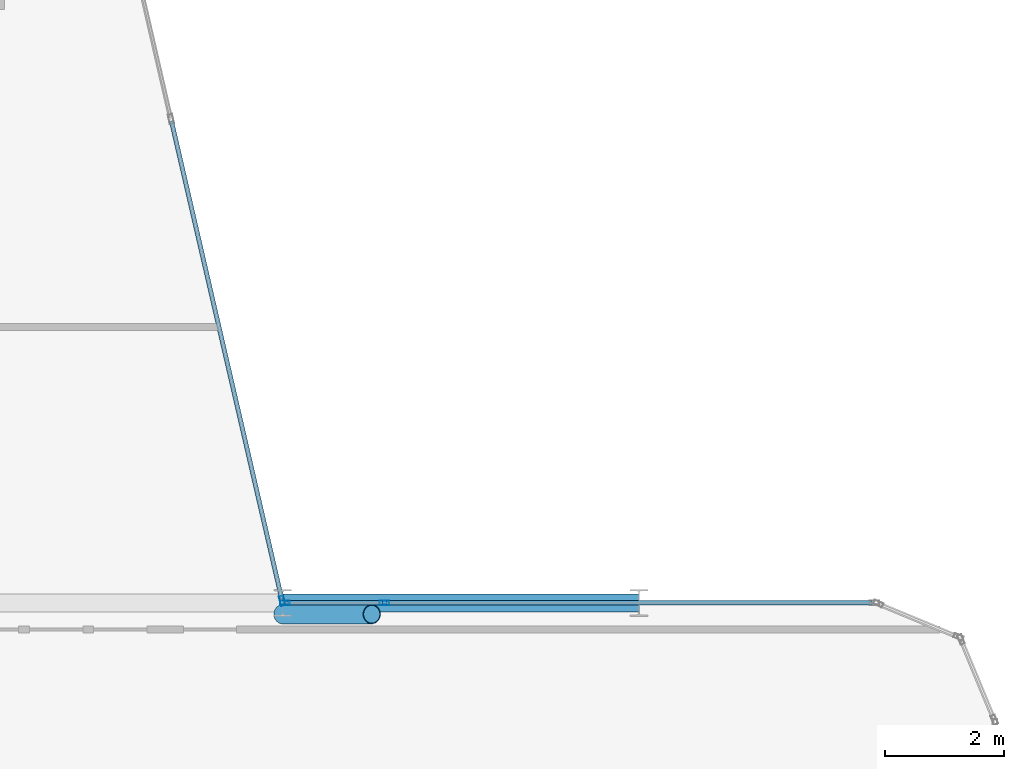
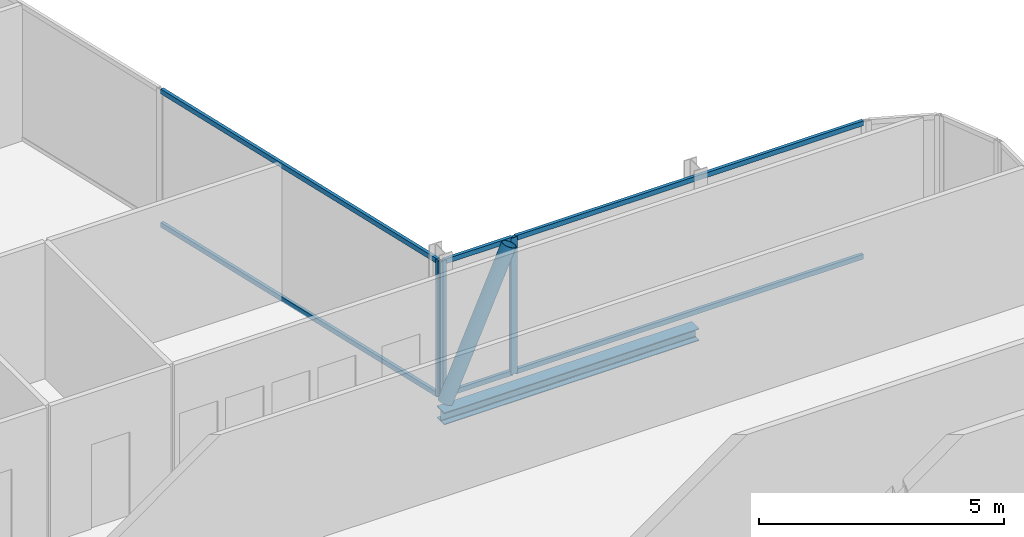
# One storey, part 14 of 29: 10 members, 1 beam, 3 elements without a shape of their own.
"""IFC4 building model written with IfcOpenShell, lengths in metres."""

from ifc_helpers import new_model, si_unit, direction, frame, origin, origin_2d, place, context, subcontext, project, spatial, hollow_rectangle, hollow_circle, i_section, extrude, material, layer, layer_set, material_profile, profile_set, type_object, element, aggregate, save


model = new_model("IFC4")

# Units and contexts
model_context = context("Model", 3, precision=1e-05, world=origin(), true_north=direction((0.0, 1.0)))
body_context = subcontext(model_context, "Body", "Model", "MODEL_VIEW")
ifc_project = project(units=[si_unit("LENGTHUNIT", "METRE"), si_unit("AREAUNIT", "SQUARE_METRE"), si_unit("VOLUMEUNIT", "CUBIC_METRE"), si_unit("PLANEANGLEUNIT", "RADIAN"), si_unit("MASSUNIT", "GRAM", prefix="KILO")], contexts=[model_context])

# Site, building, storey
site_placement = place(None, origin())
site = spatial("IfcSite", under=ifc_project, at=site_placement, CompositionType="ELEMENT")
building_placement = place(site_placement, origin())
building = spatial("IfcBuilding", under=site, at=building_placement, Name="Keshet Zoharim Tower", CompositionType="ELEMENT")
storey_placement = place(building_placement, frame((0.0, 0.0, 192.10009765625)))
storey = spatial("IfcBuildingStorey", under=building, at=storey_placement, Name="L47", CompositionType="ELEMENT", Elevation=192.10009765625)

# Beam
ifc_material_1 = material(Name="Steel S355", Category="steel")
ifc_material_profile_1 = material_profile(ifc_material_1, i_section(OverallWidth=0.300048828125, OverallDepth=0.300048828125, WebThickness=0.010986328125, FlangeThickness=0.01904296875, FilletRadius=0.027099609375, at=origin_2d()), Name="HEB300")
ifc_profile_set_1 = profile_set([ifc_material_profile_1], Name="Steel S355")
beam_type = type_object("IfcBeamType", Name="BM-PRI-HB300", PredefinedType="BEAM", material=ifc_profile_set_1)
beam_placement = place(storey_placement, frame((45.0, 27.89990234375, -0.460205078125), z_axis=(1.0, 0.0, 0.0), x_axis=(0.0, 1.0, 0.0)))
element("IfcBeam", 1, at=beam_placement, inside=storey, type_object=beam_type, Name="L47 Primary Girder X-016", PredefinedType="BEAM", context=body_context, shape_type="SweptSolid", body=[
    extrude(i_section(OverallWidth=0.300048828125, OverallDepth=0.300048828125, WebThickness=0.010986328125, FlangeThickness=0.01904296875, FilletRadius=0.027099609375, at=origin_2d()), origin(), (0.0, 0.0, 1.0), 6.0),
])

# Curtain wall, member
ifc_material_2 = material(Name="Aluminium 6063-T6", Category="aluminium")
ifc_layer = layer(ifc_material_2, 0.139892578125)
ifc_layer_set = layer_set([ifc_layer], Name="Aluminium 6063-T6")
curtain_wall_type = type_object("IfcCurtainWallType", Name="CW-SYS-05", PredefinedType="NOTDEFINED", material=ifc_layer_set)
curtain_wall_1_placement = place(storey_placement, origin())
curtain_wall_1 = element("IfcCurtainWall", 2, at=curtain_wall_1_placement, inside=storey, type_object=curtain_wall_type, Name="L47 Unitised Curtain Wall 19", PredefinedType="NOTDEFINED")
ifc_material_profile_2 = material_profile(ifc_material_2, hollow_rectangle(XDim=0.074951171875, YDim=0.159912109375, WallThickness=0.00390625, at=origin_2d()), Name="MUL-75x160")
ifc_profile_set_2 = profile_set([ifc_material_profile_2], Name="Aluminium 6063-T6")
member_type_1 = type_object("IfcMemberType", Name="CWM-M15", PredefinedType="MULLION", material=ifc_profile_set_2)
member_1_placement = place(storey_placement, frame((44.9921875, 27.93408203125, 0.0), z_axis=(0.0, 0.0, 1.0), x_axis=(0.974393882313, 0.224847864369, 0.0)))
member_1 = element("IfcMember", 3, at=member_1_placement, type_object=member_type_1, Name="CW-05 mullion 4", PredefinedType="MULLION", context=body_context, shape_type="SweptSolid", body=[
    extrude(hollow_rectangle(XDim=0.074951171875, YDim=0.159912109375, WallThickness=0.00390625, at=origin_2d()), origin(), (0.0, 0.0, 1.0), 3.389892578125),
])

# Curtain wall, members
curtain_wall_2_placement = place(storey_placement, origin())
curtain_wall_2 = element("IfcCurtainWall", 4, at=curtain_wall_2_placement, inside=storey, type_object=curtain_wall_type, Name="L47 Unitised Curtain Wall 20", PredefinedType="NOTDEFINED")
member_2_placement = place(storey_placement, frame((45.034912109375, 27.89990234375, 0.0), z_axis=(0.0, 0.0, 1.0), x_axis=(0.0, 1.0, 0.0)))
member_2 = element("IfcMember", 5, at=member_2_placement, type_object=member_type_1, Name="CW-05 mullion 1", PredefinedType="MULLION", context=body_context, shape_type="SweptSolid", body=[
    extrude(hollow_rectangle(XDim=0.074951171875, YDim=0.159912109375, WallThickness=0.00390625, at=origin_2d()), origin(), (0.0, 0.0, 1.0), 3.389892578125),
])
member_3_placement = place(storey_placement, frame((46.713134765625, 27.89990234375, 0.0), z_axis=(0.0, 0.0, 1.0), x_axis=(0.0, 1.0, 0.0)))
member_3 = element("IfcMember", 6, at=member_3_placement, type_object=member_type_1, Name="CW-05 mullion 2", PredefinedType="MULLION", context=body_context, shape_type="SweptSolid", body=[
    extrude(hollow_rectangle(XDim=0.074951171875, YDim=0.159912109375, WallThickness=0.00390625, at=origin_2d()), origin(), (0.0, 0.0, 1.0), 3.389892578125),
])

# Member
ifc_material_profile_3 = material_profile(ifc_material_2, hollow_rectangle(XDim=0.074951171875, YDim=0.1201171875, WallThickness=0.00390625, at=origin_2d()), Name="TRN-75x120")
ifc_profile_set_3 = profile_set([ifc_material_profile_3], Name="Aluminium 6063-T6")
member_type_2 = type_object("IfcMemberType", Name="CWT-T12", PredefinedType="USERDEFINED", material=ifc_profile_set_3)
member_4_placement = place(storey_placement, frame((43.127197265625, 36.015869140625, 0.034912109375), z_axis=(0.224863824467, -0.974390199277, 0.0), x_axis=(0.974390199277, 0.224863824467, 0.0)))
member_4 = element("IfcMember", 7, at=member_4_placement, type_object=member_type_2, Name="CW-05 transom 3.1", ObjectType="TRANSOM", PredefinedType="USERDEFINED", context=body_context, shape_type="SweptSolid", body=[
    extrude(hollow_rectangle(XDim=0.074951171875, YDim=0.1201171875, WallThickness=0.00390625, at=origin_2d()), origin(), (0.0, 0.0, 1.0), 8.259033203125),
])

member_5_placement = place(storey_placement, frame((43.127197265625, 36.015869140625, 3.35498046875), z_axis=(0.224863824467, -0.974390199277, 0.0), x_axis=(0.974390199277, 0.224863824467, 0.0)))
member_5 = element("IfcMember", 8, at=member_5_placement, type_object=member_type_2, Name="CW-05 transom 3.2", ObjectType="TRANSOM", PredefinedType="USERDEFINED", context=body_context, shape_type="SweptSolid", body=[
    extrude(hollow_rectangle(XDim=0.074951171875, YDim=0.1201171875, WallThickness=0.00390625, at=origin_2d()), origin(), (0.0, 0.0, 1.0), 8.259033203125),
])

aggregate(curtain_wall_1, [member_1, member_4, member_5])

member_6_placement = place(storey_placement, frame((45.070068359375, 27.89990234375, 0.034912109375), z_axis=(1.0, 0.0, 0.0), x_axis=(0.0, 1.0, 0.0)))
member_6 = element("IfcMember", 9, at=member_6_placement, type_object=member_type_2, Name="CW-05 transom 1.1", ObjectType="TRANSOM", PredefinedType="USERDEFINED", context=body_context, shape_type="SweptSolid", body=[
    extrude(hollow_rectangle(XDim=0.074951171875, YDim=0.1201171875, WallThickness=0.00390625, at=origin_2d()), origin(), (0.0, 0.0, 1.0), 1.60791015625),
])

member_7_placement = place(storey_placement, frame((45.070068359375, 27.89990234375, 3.35498046875), z_axis=(1.0, 0.0, 0.0), x_axis=(0.0, 1.0, 0.0)))
member_7 = element("IfcMember", 10, at=member_7_placement, type_object=member_type_2, Name="CW-05 transom 1.2", ObjectType="TRANSOM", PredefinedType="USERDEFINED", context=body_context, shape_type="SweptSolid", body=[
    extrude(hollow_rectangle(XDim=0.074951171875, YDim=0.1201171875, WallThickness=0.00390625, at=origin_2d()), origin(), (0.0, 0.0, 1.0), 1.60791015625),
])

aggregate(curtain_wall_2, [member_2, member_3, member_6, member_7])

# Curtain wall, members
curtain_wall_3_placement = place(storey_placement, origin())
curtain_wall_3 = element("IfcCurtainWall", 11, at=curtain_wall_3_placement, inside=storey, type_object=curtain_wall_type, Name="L47 Unitised Curtain Wall 20 Part 2", PredefinedType="NOTDEFINED")
member_8_placement = place(storey_placement, frame((46.748046875, 27.89990234375, 0.034912109375), z_axis=(1.0, 0.0, 0.0), x_axis=(0.0, 1.0, 0.0)))
member_8 = element("IfcMember", 12, at=member_8_placement, type_object=member_type_2, Name="CW-05 transom 1.1", ObjectType="TRANSOM", PredefinedType="USERDEFINED", context=body_context, shape_type="SweptSolid", body=[
    extrude(hollow_rectangle(XDim=0.074951171875, YDim=0.1201171875, WallThickness=0.00390625, at=origin_2d()), origin(), (0.0, 0.0, 1.0), 8.181884765625),
])
member_9_placement = place(storey_placement, frame((46.748046875, 27.89990234375, 3.35498046875), z_axis=(1.0, 0.0, 0.0), x_axis=(0.0, 1.0, 0.0)))
member_9 = element("IfcMember", 13, at=member_9_placement, type_object=member_type_2, Name="CW-05 transom 1.2", ObjectType="TRANSOM", PredefinedType="USERDEFINED", context=body_context, shape_type="SweptSolid", body=[
    extrude(hollow_rectangle(XDim=0.074951171875, YDim=0.1201171875, WallThickness=0.00390625, at=origin_2d()), origin(), (0.0, 0.0, 1.0), 8.181884765625),
])
aggregate(curtain_wall_3, [member_8, member_9])

# Member
ifc_material_profile_4 = material_profile(ifc_material_1, hollow_circle(Radius=0.161865234375, WallThickness=0.012451171875, at=origin_2d()), Name="CHS323x12.5")
ifc_profile_set_4 = profile_set([ifc_material_profile_4], Name="Steel S355")
member_type_3 = type_object("IfcMemberType", Name="MB-BR-C323", PredefinedType="BRACE", material=ifc_profile_set_4)
member_10_placement = place(storey_placement, frame((45.0, 27.7099609375, 0.0), z_axis=(0.40464689807, 0.0, 0.914473011019), x_axis=(0.0, 1.0, 0.0)))
element("IfcMember", 14, at=member_10_placement, inside=storey, type_object=member_type_3, Name="L47 Perimeter Tube Brace 04", PredefinedType="BRACE", context=body_context, shape_type="SweptSolid", body=[
    extrude(hollow_circle(Radius=0.161865234375, WallThickness=0.012451171875, at=origin_2d()), origin(), (0.0, 0.0, 1.0), 3.70703125),
])

save(model, "model.ifc")
